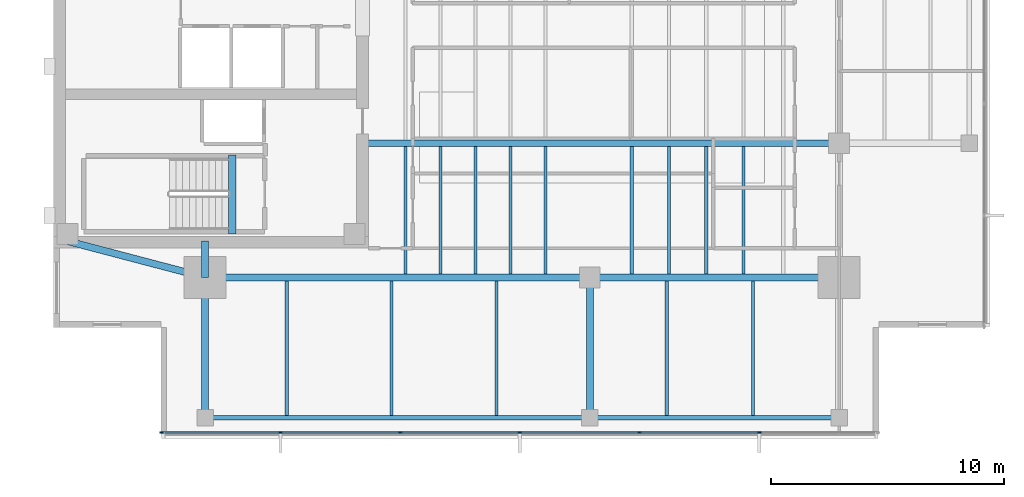
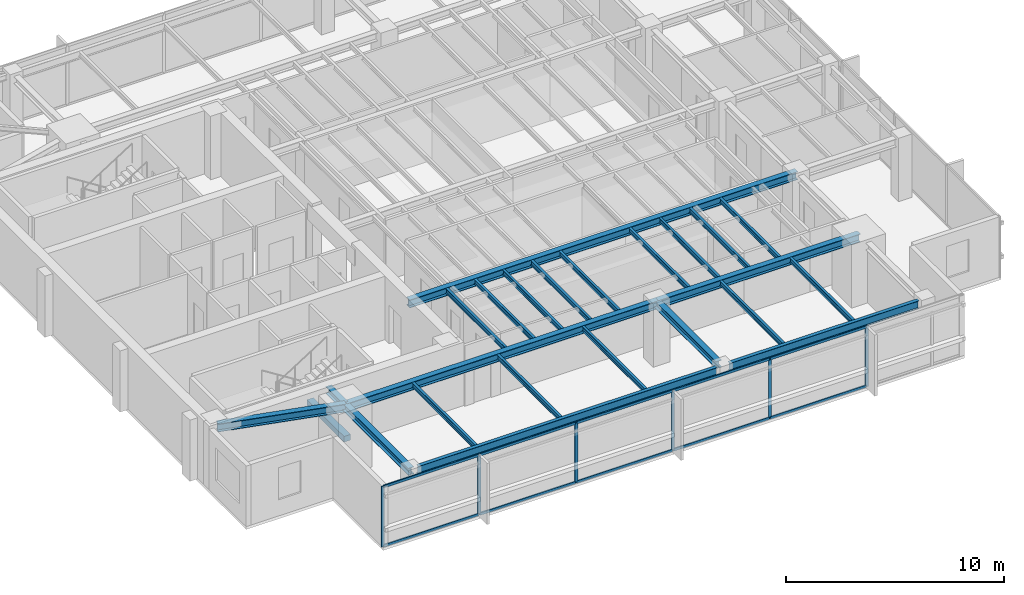
# One storey, part 2 of 14: 24 beams, 16 members, 1 element without a shape of its own.
"""IFC4 building model written with IfcOpenShell, lengths in metres."""

from ifc_helpers import new_model, si_unit, direction, frame, origin, origin_2d, place, context, subcontext, project, spatial, rectangle, i_section, extrude, material, layer, layer_set, material_profile, profile_set, type_object, element, aggregate, save


model = new_model("IFC4")

# Units and contexts
model_context = context("Model", 3, precision=1e-05, world=origin(), true_north=direction((0.0, 1.0)))
body_context = subcontext(model_context, "Body", "Model", "MODEL_VIEW")
ifc_project = project(units=[si_unit("LENGTHUNIT", "METRE"), si_unit("AREAUNIT", "SQUARE_METRE"), si_unit("VOLUMEUNIT", "CUBIC_METRE"), si_unit("PLANEANGLEUNIT", "RADIAN"), si_unit("MASSUNIT", "GRAM", prefix="KILO")], contexts=[model_context])

# Site, building, storey
site_placement = place(None, origin())
site = spatial("IfcSite", under=ifc_project, at=site_placement, CompositionType="ELEMENT")
building_placement = place(site_placement, origin())
building = spatial("IfcBuilding", under=site, at=building_placement, Name="Kinhvarn Gate Tower", CompositionType="ELEMENT")
storey_placement = place(building_placement, frame((0.0, 0.0, 249.25)))
storey = spatial("IfcBuildingStorey", under=building, at=storey_placement, Name="L66", CompositionType="ELEMENT", Elevation=249.25)

# Beam
ifc_material_1 = material(Name="Concrete C50/60", Category="concrete")
ifc_material_profile_1 = material_profile(ifc_material_1, rectangle(XDim=0.340087890625, YDim=0.320068359375, at=origin_2d()), Name="RC 340x320")
ifc_profile_set_1 = profile_set([ifc_material_profile_1], Name="Concrete C50/60")
beam_type_1 = type_object("IfcBeamType", Name="BM-LND-500", PredefinedType="BEAM", material=ifc_profile_set_1)
beam_1_placement = place(storey_placement, frame((12.1650390625, 14.60009765625, -0.159912109375), z_axis=(0.0, 1.0, 0.0), x_axis=(-1.0, 0.0, 0.0)))
element("IfcBeam", 1, at=beam_1_placement, inside=storey, type_object=beam_type_1, Name="Stair ST1 Landing Nosing Beam (L66)", PredefinedType="BEAM", context=body_context, shape_type="SweptSolid", body=[
    extrude(rectangle(XDim=0.340087890625, YDim=0.320068359375, at=origin_2d()), origin(), (0.0, 0.0, 1.0), 3.39990234375),
])

# Curtain wall, members
ifc_material_2 = material(Name="Anodised aluminium AW-6063", Category="aluminium")
ifc_layer = layer(ifc_material_2, 0.179931640625)
ifc_layer_set = layer_set([ifc_layer], Name="Anodised aluminium AW-6063")
curtain_wall_type = type_object("IfcCurtainWallType", Name="CW-SYS-3", PredefinedType="NOTDEFINED", material=ifc_layer_set)
curtain_wall_placement = place(storey_placement, origin())
curtain_wall = element("IfcCurtainWall", 2, at=curtain_wall_placement, inside=storey, type_object=curtain_wall_type, Name="Curtain Wall CW3 (L66)", PredefinedType="NOTDEFINED")
ifc_material_profile_2 = material_profile(ifc_material_2, rectangle(XDim=0.06494140625, YDim=0.159912109375, at=origin_2d()), Name="ALU 65x160")
ifc_profile_set_2 = profile_set([ifc_material_profile_2], Name="Anodised aluminium AW-6063")
member_type_1 = type_object("IfcMemberType", Name="CW-MUL-160", PredefinedType="MULLION", material=ifc_profile_set_2)
member_1_placement = place(storey_placement, frame((9.132568359375, 6.090087890625, 0.0), z_axis=(0.0, 0.0, 1.0), x_axis=(0.0, 1.0, 0.0)))
member_1 = element("IfcMember", 3, at=member_1_placement, type_object=member_type_1, Name="CW3 mullion 1", PredefinedType="MULLION", context=body_context, shape_type="SweptSolid", body=[
    extrude(rectangle(XDim=0.06494140625, YDim=0.159912109375, at=origin_2d()), origin(), (0.0, 0.0, 1.0), 3.389892578125),
])
member_2_placement = place(storey_placement, frame((14.2333984375, 6.090087890625, 0.0), z_axis=(0.0, 0.0, 1.0), x_axis=(0.0, 1.0, 0.0)))
member_2 = element("IfcMember", 4, at=member_2_placement, type_object=member_type_1, Name="CW3 mullion 2", PredefinedType="MULLION", context=body_context, shape_type="SweptSolid", body=[
    extrude(rectangle(XDim=0.06494140625, YDim=0.159912109375, at=origin_2d()), origin(), (0.0, 0.0, 1.0), 3.389892578125),
])
member_3_placement = place(storey_placement, frame((19.36669921875, 6.090087890625, 0.0), z_axis=(0.0, 0.0, 1.0), x_axis=(0.0, 1.0, 0.0)))
member_3 = element("IfcMember", 5, at=member_3_placement, type_object=member_type_1, Name="CW3 mullion 3", PredefinedType="MULLION", context=body_context, shape_type="SweptSolid", body=[
    extrude(rectangle(XDim=0.06494140625, YDim=0.159912109375, at=origin_2d()), origin(), (0.0, 0.0, 1.0), 3.389892578125),
])
member_4_placement = place(storey_placement, frame((24.5, 6.090087890625, 0.0), z_axis=(0.0, 0.0, 1.0), x_axis=(0.0, 1.0, 0.0)))
member_4 = element("IfcMember", 6, at=member_4_placement, type_object=member_type_1, Name="CW3 mullion 4", PredefinedType="MULLION", context=body_context, shape_type="SweptSolid", body=[
    extrude(rectangle(XDim=0.06494140625, YDim=0.159912109375, at=origin_2d()), origin(), (0.0, 0.0, 1.0), 3.389892578125),
])
member_5_placement = place(storey_placement, frame((29.63330078125, 6.090087890625, 0.0), z_axis=(0.0, 0.0, 1.0), x_axis=(0.0, 1.0, 0.0)))
member_5 = element("IfcMember", 7, at=member_5_placement, type_object=member_type_1, Name="CW3 mullion 5", PredefinedType="MULLION", context=body_context, shape_type="SweptSolid", body=[
    extrude(rectangle(XDim=0.06494140625, YDim=0.159912109375, at=origin_2d()), origin(), (0.0, 0.0, 1.0), 3.389892578125),
])
member_6_placement = place(storey_placement, frame((34.7666015625, 6.090087890625, 0.0), z_axis=(0.0, 0.0, 1.0), x_axis=(0.0, 1.0, 0.0)))
member_6 = element("IfcMember", 8, at=member_6_placement, type_object=member_type_1, Name="CW3 mullion 6", PredefinedType="MULLION", context=body_context, shape_type="SweptSolid", body=[
    extrude(rectangle(XDim=0.06494140625, YDim=0.159912109375, at=origin_2d()), origin(), (0.0, 0.0, 1.0), 3.389892578125),
])
ifc_material_profile_3 = material_profile(ifc_material_2, rectangle(XDim=0.070068359375, YDim=0.139892578125, at=origin_2d()), Name="ALU 70x140")
ifc_profile_set_3 = profile_set([ifc_material_profile_3], Name="Anodised aluminium AW-6063")
member_type_2 = type_object("IfcMemberType", Name="CW-TRN-140", PredefinedType="USERDEFINED", material=ifc_profile_set_3)
member_7_placement = place(storey_placement, frame((9.1650390625, 6.090087890625, 0.034912109375), z_axis=(1.0, 0.0, 0.0), x_axis=(0.0, 1.0, 0.0)))
member_7 = element("IfcMember", 9, at=member_7_placement, type_object=member_type_2, Name="CW3 transom 1.1", ObjectType="TRANSOM", PredefinedType="USERDEFINED", context=body_context, shape_type="SweptSolid", body=[
    extrude(rectangle(XDim=0.070068359375, YDim=0.139892578125, at=origin_2d()), origin(), (0.0, 0.0, 1.0), 5.035888671875),
])
member_8_placement = place(storey_placement, frame((9.1650390625, 6.090087890625, 3.35498046875), z_axis=(1.0, 0.0, 0.0), x_axis=(0.0, 1.0, 0.0)))
member_8 = element("IfcMember", 10, at=member_8_placement, type_object=member_type_2, Name="CW3 transom 1.2", ObjectType="TRANSOM", PredefinedType="USERDEFINED", context=body_context, shape_type="SweptSolid", body=[
    extrude(rectangle(XDim=0.070068359375, YDim=0.139892578125, at=origin_2d()), origin(), (0.0, 0.0, 1.0), 5.035888671875),
])
member_9_placement = place(storey_placement, frame((14.265869140625, 6.090087890625, 0.034912109375), z_axis=(1.0, 0.0, 0.0), x_axis=(0.0, 1.0, 0.0)))
member_9 = element("IfcMember", 11, at=member_9_placement, type_object=member_type_2, Name="CW3 transom 2.1", ObjectType="TRANSOM", PredefinedType="USERDEFINED", context=body_context, shape_type="SweptSolid", body=[
    extrude(rectangle(XDim=0.070068359375, YDim=0.139892578125, at=origin_2d()), origin(), (0.0, 0.0, 1.0), 5.068359375),
])
member_10_placement = place(storey_placement, frame((14.265869140625, 6.090087890625, 3.35498046875), z_axis=(1.0, 0.0, 0.0), x_axis=(0.0, 1.0, 0.0)))
member_10 = element("IfcMember", 12, at=member_10_placement, type_object=member_type_2, Name="CW3 transom 2.2", ObjectType="TRANSOM", PredefinedType="USERDEFINED", context=body_context, shape_type="SweptSolid", body=[
    extrude(rectangle(XDim=0.070068359375, YDim=0.139892578125, at=origin_2d()), origin(), (0.0, 0.0, 1.0), 5.068359375),
])
member_11_placement = place(storey_placement, frame((19.399169921875, 6.090087890625, 0.034912109375), z_axis=(1.0, 0.0, 0.0), x_axis=(0.0, 1.0, 0.0)))
member_11 = element("IfcMember", 13, at=member_11_placement, type_object=member_type_2, Name="CW3 transom 3.1", ObjectType="TRANSOM", PredefinedType="USERDEFINED", context=body_context, shape_type="SweptSolid", body=[
    extrude(rectangle(XDim=0.070068359375, YDim=0.139892578125, at=origin_2d()), origin(), (0.0, 0.0, 1.0), 5.068359375),
])
member_12_placement = place(storey_placement, frame((19.399169921875, 6.090087890625, 3.35498046875), z_axis=(1.0, 0.0, 0.0), x_axis=(0.0, 1.0, 0.0)))
member_12 = element("IfcMember", 14, at=member_12_placement, type_object=member_type_2, Name="CW3 transom 3.2", ObjectType="TRANSOM", PredefinedType="USERDEFINED", context=body_context, shape_type="SweptSolid", body=[
    extrude(rectangle(XDim=0.070068359375, YDim=0.139892578125, at=origin_2d()), origin(), (0.0, 0.0, 1.0), 5.068359375),
])
member_13_placement = place(storey_placement, frame((24.532470703125, 6.090087890625, 0.034912109375), z_axis=(1.0, 0.0, 0.0), x_axis=(0.0, 1.0, 0.0)))
member_13 = element("IfcMember", 15, at=member_13_placement, type_object=member_type_2, Name="CW3 transom 4.1", ObjectType="TRANSOM", PredefinedType="USERDEFINED", context=body_context, shape_type="SweptSolid", body=[
    extrude(rectangle(XDim=0.070068359375, YDim=0.139892578125, at=origin_2d()), origin(), (0.0, 0.0, 1.0), 5.068359375),
])
member_14_placement = place(storey_placement, frame((24.532470703125, 6.090087890625, 3.35498046875), z_axis=(1.0, 0.0, 0.0), x_axis=(0.0, 1.0, 0.0)))
member_14 = element("IfcMember", 16, at=member_14_placement, type_object=member_type_2, Name="CW3 transom 4.2", ObjectType="TRANSOM", PredefinedType="USERDEFINED", context=body_context, shape_type="SweptSolid", body=[
    extrude(rectangle(XDim=0.070068359375, YDim=0.139892578125, at=origin_2d()), origin(), (0.0, 0.0, 1.0), 5.068359375),
])
member_15_placement = place(storey_placement, frame((29.665771484375, 6.090087890625, 0.034912109375), z_axis=(1.0, 0.0, 0.0), x_axis=(0.0, 1.0, 0.0)))
member_15 = element("IfcMember", 17, at=member_15_placement, type_object=member_type_2, Name="CW3 transom 5.1", ObjectType="TRANSOM", PredefinedType="USERDEFINED", context=body_context, shape_type="SweptSolid", body=[
    extrude(rectangle(XDim=0.070068359375, YDim=0.139892578125, at=origin_2d()), origin(), (0.0, 0.0, 1.0), 5.068359375),
])
member_16_placement = place(storey_placement, frame((29.665771484375, 6.090087890625, 3.35498046875), z_axis=(1.0, 0.0, 0.0), x_axis=(0.0, 1.0, 0.0)))
member_16 = element("IfcMember", 18, at=member_16_placement, type_object=member_type_2, Name="CW3 transom 5.2", ObjectType="TRANSOM", PredefinedType="USERDEFINED", context=body_context, shape_type="SweptSolid", body=[
    extrude(rectangle(XDim=0.070068359375, YDim=0.139892578125, at=origin_2d()), origin(), (0.0, 0.0, 1.0), 5.068359375),
])
aggregate(curtain_wall, [member_1, member_2, member_3, member_4, member_5, member_6, member_7, member_8, member_9, member_10, member_11, member_12, member_13, member_14, member_15, member_16])

# Beams
ifc_material_3 = material(Name="Steel S355", Category="steel")
ifc_material_profile_4 = material_profile(ifc_material_3, i_section(OverallWidth=0.300048828125, OverallDepth=0.39990234375, WebThickness=0.013427734375, FlangeThickness=0.02392578125, at=origin_2d()), Name="HEB 400")
ifc_profile_set_4 = profile_set([ifc_material_profile_4], Name="Steel S355")
beam_type_2 = type_object("IfcBeamType", Name="STL-HEB400", PredefinedType="BEAM", material=ifc_profile_set_4)
beam_2_placement = place(storey_placement, frame((11.0, 6.719970703125, 3.18994140625), z_axis=(0.0, 1.0, 0.0), x_axis=(-1.0, 0.0, 0.0)))
element("IfcBeam", 19, at=beam_2_placement, inside=storey, type_object=beam_type_2, Name="Floor Beam PG-12 (L66 MCW-S)", PredefinedType="BEAM", context=body_context, shape_type="SweptSolid", body=[
    extrude(i_section(OverallWidth=0.300048828125, OverallDepth=0.39990234375, WebThickness=0.013427734375, FlangeThickness=0.02392578125, at=origin_2d()), origin(), (0.0, 0.0, 1.0), 6.030029296875),
])
beam_3_placement = place(storey_placement, frame((11.0, 12.75, 3.18994140625), z_axis=(0.0, 1.0, 0.0), x_axis=(-1.0, 0.0, 0.0)))
element("IfcBeam", 20, at=beam_3_placement, inside=storey, type_object=beam_type_2, Name="Floor Beam PG-12 (L66 MCW-CS)", PredefinedType="BEAM", context=body_context, shape_type="SweptSolid", body=[
    extrude(i_section(OverallWidth=0.300048828125, OverallDepth=0.39990234375, WebThickness=0.013427734375, FlangeThickness=0.02392578125, at=origin_2d()), origin(), (0.0, 0.0, 1.0), 1.550048828125),
])
beam_4_placement = place(storey_placement, frame((27.5, 7.054931640625, 3.18994140625), z_axis=(0.0, 1.0, 0.0), x_axis=(-1.0, 0.0, 0.0)))
element("IfcBeam", 21, at=beam_4_placement, inside=storey, type_object=beam_type_2, Name="Floor Beam PG-12 (L66 SP27-S-TIE)", PredefinedType="BEAM", context=body_context, shape_type="SweptSolid", body=[
    extrude(i_section(OverallWidth=0.300048828125, OverallDepth=0.39990234375, WebThickness=0.013427734375, FlangeThickness=0.02392578125, at=origin_2d()), origin(), (0.0, 0.0, 1.0), 5.695068359375),
])
ifc_material_profile_5 = material_profile(ifc_material_3, i_section(OverallWidth=0.300048828125, OverallDepth=0.449951171875, WebThickness=0.013916015625, FlangeThickness=0.02587890625, at=origin_2d()), Name="HEB 450")
ifc_profile_set_5 = profile_set([ifc_material_profile_5], Name="Steel S355")
beam_type_3 = type_object("IfcBeamType", Name="STL-HEB450", PredefinedType="BEAM", material=ifc_profile_set_5)
beam_5_placement = place(storey_placement, frame((11.0, 12.75, 3.1650390625), z_axis=(1.0, 0.0, 0.0), x_axis=(0.0, 1.0, 0.0)))
element("IfcBeam", 22, at=beam_5_placement, inside=storey, type_object=beam_type_3, Name="Floor Beam PG-13 (L66 MG-S1)", PredefinedType="BEAM", context=body_context, shape_type="SweptSolid", body=[
    extrude(i_section(OverallWidth=0.300048828125, OverallDepth=0.449951171875, WebThickness=0.013916015625, FlangeThickness=0.02587890625, at=origin_2d()), origin(), (0.0, 0.0, 1.0), 16.5),
])
beam_6_placement = place(storey_placement, frame((27.5, 12.75, 3.1650390625), z_axis=(1.0, 0.0, 0.0), x_axis=(0.0, 1.0, 0.0)))
element("IfcBeam", 23, at=beam_6_placement, inside=storey, type_object=beam_type_3, Name="Floor Beam PG-13 (L66 MG-S2)", PredefinedType="BEAM", context=body_context, shape_type="SweptSolid", body=[
    extrude(i_section(OverallWidth=0.300048828125, OverallDepth=0.449951171875, WebThickness=0.013916015625, FlangeThickness=0.02587890625, at=origin_2d()), origin(), (0.0, 0.0, 1.0), 10.699951171875),
])
beam_7_placement = place(storey_placement, frame((5.10009765625, 14.300048828125, 3.1650390625), z_axis=(0.967177623957, -0.254101246979, 0.0), x_axis=(0.254101246979, 0.967177623957, 0.0)))
element("IfcBeam", 24, at=beam_7_placement, inside=storey, type_object=beam_type_3, Name="Floor Beam PG-13 (L66 MG-SW-DIAG)", PredefinedType="BEAM", context=body_context, shape_type="SweptSolid", body=[
    extrude(i_section(OverallWidth=0.300048828125, OverallDepth=0.449951171875, WebThickness=0.013916015625, FlangeThickness=0.02587890625, at=origin_2d()), origin(), (0.0, 0.0, 1.0), 6.10009765625),
])
beam_8_placement = place(storey_placement, frame((17.64990234375, 18.5, 3.1650390625), z_axis=(1.0, 0.0, 0.0), x_axis=(0.0, 1.0, 0.0)))
element("IfcBeam", 25, at=beam_8_placement, inside=storey, type_object=beam_type_3, Name="Floor Beam PG-13 (L66 EW1-Y18)", PredefinedType="BEAM", context=body_context, shape_type="SweptSolid", body=[
    extrude(i_section(OverallWidth=0.300048828125, OverallDepth=0.449951171875, WebThickness=0.013916015625, FlangeThickness=0.02587890625, at=origin_2d()), origin(), (0.0, 0.0, 1.0), 20.550048828125),
])
ifc_material_profile_6 = material_profile(ifc_material_3, i_section(OverallWidth=0.135009765625, OverallDepth=0.27001953125, WebThickness=0.006591796875, FlangeThickness=0.01025390625, at=origin_2d()), Name="IPE 270")
ifc_profile_set_6 = profile_set([ifc_material_profile_6], Name="Steel S355")
beam_type_4 = type_object("IfcBeamType", Name="STL-IPE270", PredefinedType="JOIST", material=ifc_profile_set_6)
for number, where, z_axis, x_axis, name in (
    (26, (19.60009765625, 12.89990234375, 3.2548828125), (0.0, 1.0, 0.0), (-1.0, 0.0, 0.0), "Floor Joist SB-01 (L66 JC-X196-0)"),
    (27, (21.10009765625, 12.89990234375, 3.2548828125), (0.0, 1.0, 0.0), (-1.0, 0.0, 0.0), "Floor Joist SB-01 (L66 JC-X211-0)"),
    (28, (22.60009765625, 12.89990234375, 3.2548828125), (0.0, 1.0, 0.0), (-1.0, 0.0, 0.0), "Floor Joist SB-01 (L66 JC-X226-0)"),
    (29, (24.10009765625, 12.89990234375, 3.2548828125), (0.0, 1.0, 0.0), (-1.0, 0.0, 0.0), "Floor Joist SB-01 (L66 JC-X241-0)"),
    (30, (25.60009765625, 12.89990234375, 3.2548828125), (0.0, 1.0, 0.0), (-1.0, 0.0, 0.0), "Floor Joist SB-01 (L66 JC-X256-0)"),
    (31, (29.300048828125, 12.89990234375, 3.2548828125), (0.0, 1.0, 0.0), (-1.0, 0.0, 0.0), "Floor Joist SB-01 (L66 JC-X293-0)"),
    (32, (30.89990234375, 12.89990234375, 3.2548828125), (0.0, 1.0, 0.0), (-1.0, 0.0, 0.0), "Floor Joist SB-01 (L66 JC-X309-0)"),
    (33, (32.5, 12.89990234375, 3.2548828125), (0.0, 1.0, 0.0), (-1.0, 0.0, 0.0), "Floor Joist SB-01 (L66 JC-X325-0)"),
    (34, (34.10009765625, 12.89990234375, 3.2548828125), (0.0, 1.0, 0.0), (-1.0, 0.0, 0.0), "Floor Joist SB-01 (L66 JC-X341-0)"),
):
    element("IfcBeam", number, at=place(storey_placement, frame(where, z_axis=z_axis, x_axis=x_axis)), inside=storey, type_object=beam_type_4, Name=name, PredefinedType="JOIST", context=body_context, shape_type="SweptSolid", body=[
        extrude(i_section(OverallWidth=0.135009765625, OverallDepth=0.27001953125, WebThickness=0.006591796875, FlangeThickness=0.01025390625, at=origin_2d()), origin(), (0.0, 0.0, 1.0), 5.4501953125),
    ])
for number, where, z_axis, x_axis, name in (
    (35, (14.5, 6.81494140625, 3.2548828125), (0.0, 1.0, 0.0), (-1.0, 0.0, 0.0), "Floor Joist SB-01 (L66 JS-X145)"),
    (36, (19.0, 6.81494140625, 3.2548828125), (0.0, 1.0, 0.0), (-1.0, 0.0, 0.0), "Floor Joist SB-01 (L66 JS-X190)"),
    (37, (23.5, 6.81494140625, 3.2548828125), (0.0, 1.0, 0.0), (-1.0, 0.0, 0.0), "Floor Joist SB-01 (L66 JS-X235)"),
    (38, (30.800048828125, 6.81494140625, 3.2548828125), (0.0, 1.0, 0.0), (-1.0, 0.0, 0.0), "Floor Joist SB-01 (L66 JS-X308)"),
    (39, (34.5, 6.81494140625, 3.2548828125), (0.0, 1.0, 0.0), (-1.0, 0.0, 0.0), "Floor Joist SB-01 (L66 JS-X345)"),
):
    element("IfcBeam", number, at=place(storey_placement, frame(where, z_axis=z_axis, x_axis=x_axis)), inside=storey, type_object=beam_type_4, Name=name, PredefinedType="JOIST", context=body_context, shape_type="SweptSolid", body=[
        extrude(i_section(OverallWidth=0.135009765625, OverallDepth=0.27001953125, WebThickness=0.006591796875, FlangeThickness=0.01025390625, at=origin_2d()), origin(), (0.0, 0.0, 1.0), 5.78515625),
    ])
ifc_material_profile_7 = material_profile(ifc_material_3, i_section(OverallWidth=0.18994140625, OverallDepth=0.449951171875, WebThickness=0.009521484375, FlangeThickness=0.0146484375, at=origin_2d()), Name="IPE 450")
ifc_profile_set_7 = profile_set([ifc_material_profile_7], Name="Steel S355")
beam_type_5 = type_object("IfcBeamType", Name="STL-IPE450", PredefinedType="JOIST", material=ifc_profile_set_7)
beam_9_placement = place(storey_placement, frame((11.3349609375, 6.719970703125, 3.1650390625), z_axis=(1.0, 0.0, 0.0), x_axis=(0.0, 1.0, 0.0)))
element("IfcBeam", 40, at=beam_9_placement, inside=storey, type_object=beam_type_5, Name="Floor Joist SB-06 (L66 SP-S1)", PredefinedType="JOIST", context=body_context, shape_type="SweptSolid", body=[
    extrude(i_section(OverallWidth=0.18994140625, OverallDepth=0.449951171875, WebThickness=0.009521484375, FlangeThickness=0.0146484375, at=origin_2d()), origin(), (0.0, 0.0, 1.0), 15.830078125),
])
beam_10_placement = place(storey_placement, frame((27.8349609375, 6.719970703125, 3.1650390625), z_axis=(1.0, 0.0, 0.0), x_axis=(0.0, 1.0, 0.0)))
element("IfcBeam", 41, at=beam_10_placement, inside=storey, type_object=beam_type_5, Name="Floor Joist SB-06 (L66 SP-S2)", PredefinedType="JOIST", context=body_context, shape_type="SweptSolid", body=[
    extrude(i_section(OverallWidth=0.18994140625, OverallDepth=0.449951171875, WebThickness=0.009521484375, FlangeThickness=0.0146484375, at=origin_2d()), origin(), (0.0, 0.0, 1.0), 10.030029296875),
])

save(model, "model.ifc")
